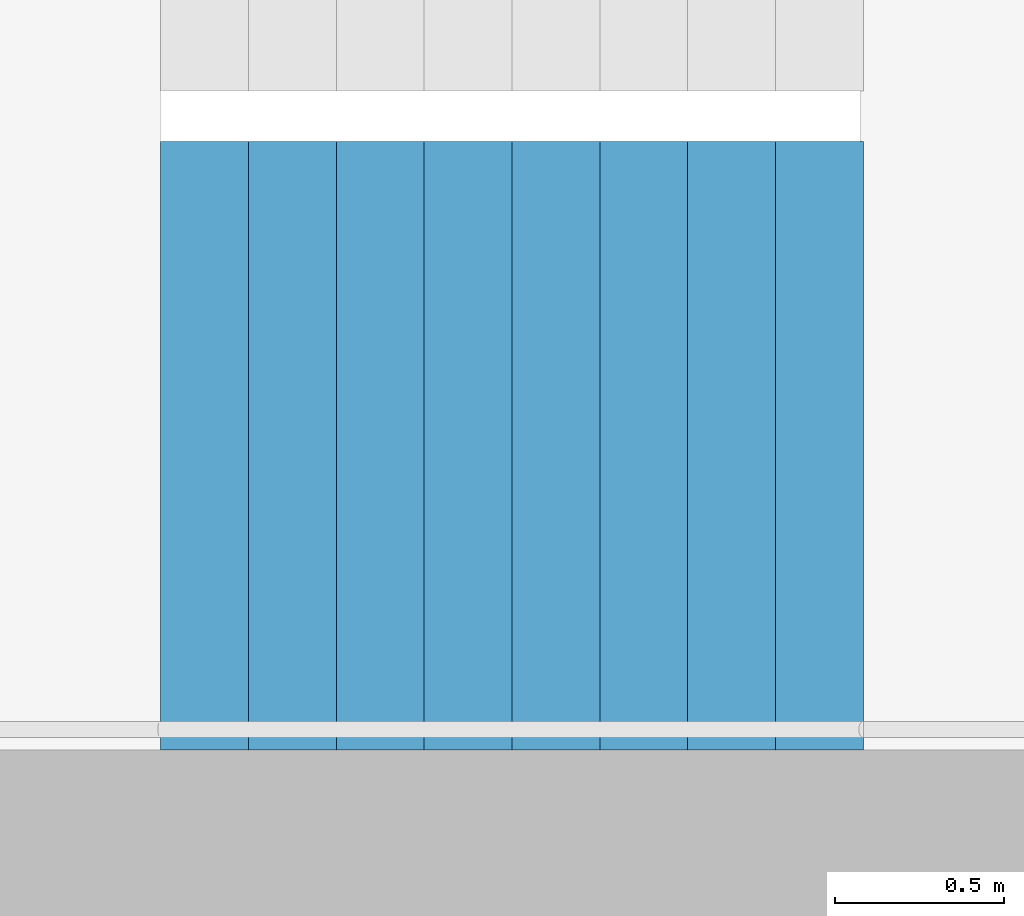
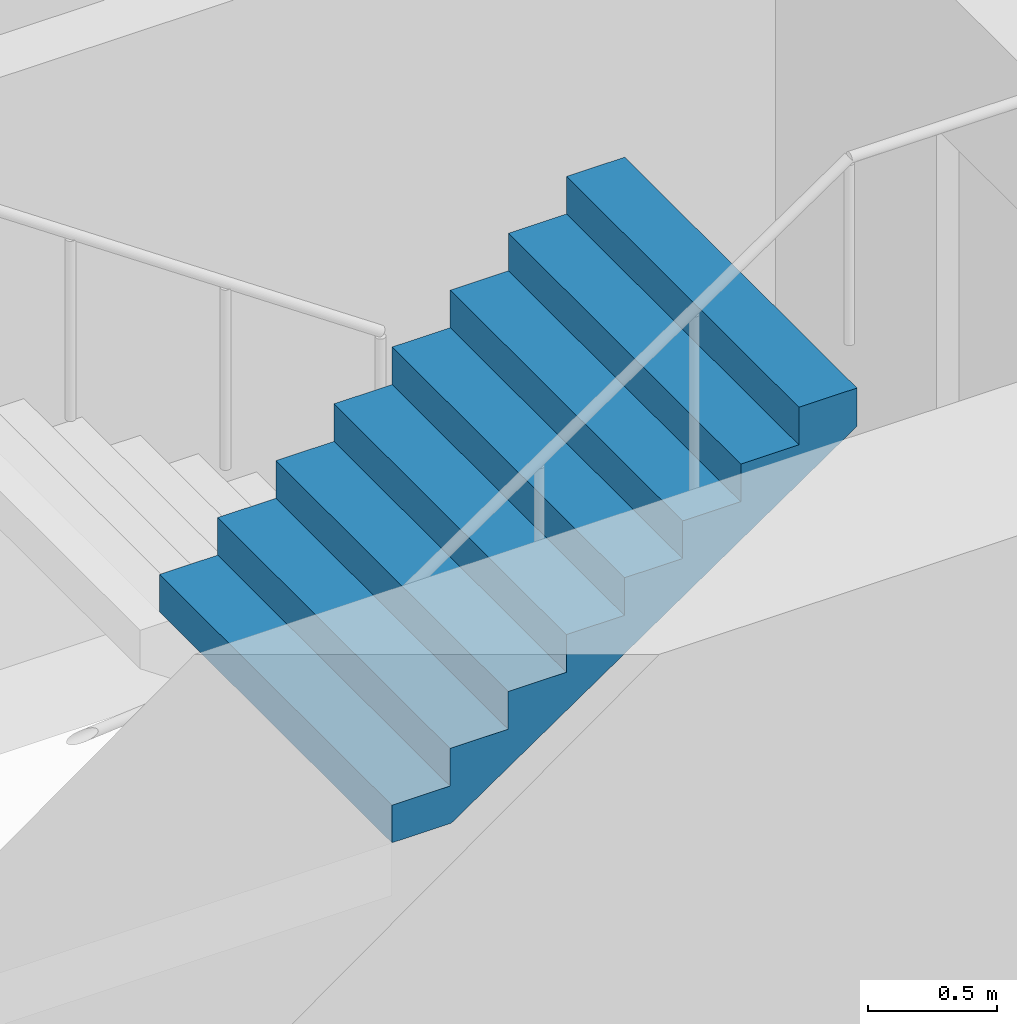
# One storey, part 21 of 29: 1 stair flight, 1 element without a shape of its own.
"""IFC4 building model written with IfcOpenShell, lengths in metres."""

from ifc_helpers import new_model, si_unit, direction, frame, origin, place, context, subcontext, project, spatial, triangles, material, type_object, element, aggregate, save


model = new_model("IFC4")

# Units and contexts
model_context = context("Model", 3, precision=1e-05, world=origin(), true_north=direction((0.0, 1.0)))
body_context = subcontext(model_context, "Body", "Model", "MODEL_VIEW")
ifc_project = project(units=[si_unit("LENGTHUNIT", "METRE"), si_unit("AREAUNIT", "SQUARE_METRE"), si_unit("VOLUMEUNIT", "CUBIC_METRE"), si_unit("PLANEANGLEUNIT", "RADIAN"), si_unit("MASSUNIT", "GRAM", prefix="KILO")], contexts=[model_context])

# Site, building, storey
site_placement = place(None, origin())
site = spatial("IfcSite", under=ifc_project, at=site_placement, CompositionType="ELEMENT")
building_placement = place(site_placement, origin())
building = spatial("IfcBuilding", under=site, at=building_placement, Name="Hakoniwa Tower and Hamabe Station Hall", CompositionType="ELEMENT")
storey_placement = place(building_placement, frame((0.0, 0.0, 45.39990234375)))
storey = spatial("IfcBuildingStorey", under=building, at=storey_placement, Name="L12", CompositionType="ELEMENT", Elevation=45.39990234375)

# Stair, stair flight
ifc_material_1 = material(Name="Concrete C40", Category="concrete")
stair_type = type_object("IfcStairType", Name="ESCAPE STAIR 1800", PredefinedType="HALF_TURN_STAIR", material=ifc_material_1)
stair_placement = place(storey_placement, origin())
stair = element("IfcStair", 1, at=stair_placement, inside=storey, type_object=stair_type, Name="Escape stair ST-2 L12", PredefinedType="HALF_TURN_STAIR")
ifc_material_2 = material(Name="Concrete C40", Category="concrete")
stair_flight_type = type_object("IfcStairFlightType", Name="STAIR FLIGHT 1800", PredefinedType="STRAIGHT", material=ifc_material_2)
stair_flight_placement = place(storey_placement, frame((-25.47998046875, -6.60009765625, 1.60009765625), z_axis=(0.0, 0.0, 1.0), x_axis=(1.0, 0.0, 0.0)))
stair_flight = element("IfcStairFlight", 2, at=stair_flight_placement, type_object=stair_flight_type, Name="ST-2 flight 2", NumberOfRisers=9, NumberOfTreads=8, PredefinedType="STRAIGHT", RiserHeight=0.177777778, TreadLength=0.26, context=body_context, shape_type="Tessellation", body=[
    triangles([(0.0, 0.89990234375, 0.0), (0.260009765625, 0.89990234375, 0.0), (0.265625, 0.89990234375, 0.0), (0.52001953125, 0.89990234375, 0.174072265625), (0.780029296875, 0.89990234375, 0.351806640625), (1.0400390625, 0.89990234375, 0.529541015625), (1.300048828125, 0.89990234375, 0.707275390625), (1.56005859375, 0.89990234375, 0.885009765625), (1.820068359375, 0.89990234375, 1.062744140625), (2.080078125, 0.89990234375, 1.24072265625), (2.080078125, 0.89990234375, 1.422119140625), (1.820068359375, 0.89990234375, 1.422119140625), (1.820068359375, 0.89990234375, 1.244384765625), (1.56005859375, 0.89990234375, 1.244384765625), (1.56005859375, 0.89990234375, 1.066650390625), (1.300048828125, 0.89990234375, 1.066650390625), (1.300048828125, 0.89990234375, 0.888916015625), (1.0400390625, 0.89990234375, 0.888916015625), (1.0400390625, 0.89990234375, 0.711181640625), (0.780029296875, 0.89990234375, 0.711181640625), (0.780029296875, 0.89990234375, 0.533447265625), (0.52001953125, 0.89990234375, 0.533447265625), (0.52001953125, 0.89990234375, 0.35546875), (0.265625, 0.89990234375, 0.35546875), (0.260009765625, 0.89990234375, 0.35546875), (0.260009765625, 0.89990234375, 0.177734375), (0.0, 0.89990234375, 0.177734375), (0.0, 0.06005859375, 0.0), (0.260009765625, 0.06005859375, 0.0), (0.265625, 0.06005859375, 0.0), (0.52001953125, 0.06005859375, 0.174072265625), (0.780029296875, 0.06005859375, 0.351806640625), (1.0400390625, 0.06005859375, 0.529541015625), (1.300048828125, 0.06005859375, 0.707275390625), (1.56005859375, 0.06005859375, 0.885009765625), (1.820068359375, 0.06005859375, 1.062744140625), (2.080078125, 0.06005859375, 1.24072265625), (2.080078125, 0.06005859375, 1.422119140625), (1.820068359375, 0.06005859375, 1.422119140625), (1.820068359375, 0.06005859375, 1.244384765625), (1.56005859375, 0.06005859375, 1.244384765625), (1.56005859375, 0.06005859375, 1.066650390625), (1.300048828125, 0.06005859375, 1.066650390625), (1.300048828125, 0.06005859375, 0.888916015625), (1.0400390625, 0.06005859375, 0.888916015625), (1.0400390625, 0.06005859375, 0.711181640625), (0.780029296875, 0.06005859375, 0.711181640625), (0.780029296875, 0.06005859375, 0.533447265625), (0.52001953125, 0.06005859375, 0.533447265625), (0.52001953125, 0.06005859375, 0.35546875), (0.265625, 0.06005859375, 0.35546875), (0.260009765625, 0.06005859375, 0.35546875), (0.260009765625, 0.06005859375, 0.177734375), (0.0, 0.06005859375, 0.177734375), (0.0, 0.04296875, 0.0), (0.260009765625, 0.04296875, 0.0), (0.265625, 0.04296875, 0.0), (0.52001953125, 0.04296875, 0.174072265625), (0.780029296875, 0.04296875, 0.351806640625), (1.0400390625, 0.04296875, 0.529541015625), (1.300048828125, 0.04296875, 0.707275390625), (1.56005859375, 0.04296875, 0.885009765625), (1.820068359375, 0.04296875, 1.062744140625), (2.080078125, 0.04296875, 1.24072265625), (2.080078125, 0.04296875, 1.422119140625), (1.820068359375, 0.04296875, 1.422119140625), (1.820068359375, 0.04296875, 1.244384765625), (1.56005859375, 0.04296875, 1.244384765625), (1.56005859375, 0.04296875, 1.066650390625), (1.300048828125, 0.04296875, 1.066650390625), (1.300048828125, 0.04296875, 0.888916015625), (1.0400390625, 0.04296875, 0.888916015625), (1.0400390625, 0.04296875, 0.711181640625), (0.780029296875, 0.04296875, 0.711181640625), (0.780029296875, 0.04296875, 0.533447265625), (0.52001953125, 0.04296875, 0.533447265625), (0.52001953125, 0.04296875, 0.35546875), (0.265625, 0.04296875, 0.35546875), (0.260009765625, 0.04296875, 0.35546875), (0.260009765625, 0.04296875, 0.177734375), (0.0, 0.04296875, 0.177734375), (0.0, 0.025634765625, 0.0), (0.260009765625, 0.025634765625, 0.0), (0.265625, 0.025634765625, 0.0), (0.52001953125, 0.025634765625, 0.174072265625), (0.780029296875, 0.025634765625, 0.351806640625), (1.0400390625, 0.025634765625, 0.529541015625), (1.300048828125, 0.025634765625, 0.707275390625), (1.56005859375, 0.025634765625, 0.885009765625), (1.820068359375, 0.025634765625, 1.062744140625), (2.080078125, 0.025634765625, 1.24072265625), (2.080078125, 0.025634765625, 1.422119140625), (1.820068359375, 0.025634765625, 1.422119140625), (1.820068359375, 0.025634765625, 1.244384765625), (1.56005859375, 0.025634765625, 1.244384765625), (1.56005859375, 0.025634765625, 1.066650390625), (1.300048828125, 0.025634765625, 1.066650390625), (1.300048828125, 0.025634765625, 0.888916015625), (1.0400390625, 0.025634765625, 0.888916015625), (1.0400390625, 0.025634765625, 0.711181640625), (0.780029296875, 0.025634765625, 0.711181640625), (0.780029296875, 0.025634765625, 0.533447265625), (0.52001953125, 0.025634765625, 0.533447265625), (0.52001953125, 0.025634765625, 0.35546875), (0.265625, 0.025634765625, 0.35546875), (0.260009765625, 0.025634765625, 0.35546875), (0.260009765625, 0.025634765625, 0.177734375), (0.0, 0.025634765625, 0.177734375), (0.0, 0.008544921875, 0.0), (0.260009765625, 0.008544921875, 0.0), (0.265625, 0.008544921875, 0.0), (0.52001953125, 0.008544921875, 0.174072265625), (0.780029296875, 0.008544921875, 0.351806640625), (1.0400390625, 0.008544921875, 0.529541015625), (1.300048828125, 0.008544921875, 0.707275390625), (1.56005859375, 0.008544921875, 0.885009765625), (1.820068359375, 0.008544921875, 1.062744140625), (2.080078125, 0.008544921875, 1.24072265625), (2.080078125, 0.008544921875, 1.422119140625), (1.820068359375, 0.008544921875, 1.422119140625), (1.820068359375, 0.008544921875, 1.244384765625), (1.56005859375, 0.008544921875, 1.244384765625), (1.56005859375, 0.008544921875, 1.066650390625), (1.300048828125, 0.008544921875, 1.066650390625), (1.300048828125, 0.008544921875, 0.888916015625), (1.0400390625, 0.008544921875, 0.888916015625), (1.0400390625, 0.008544921875, 0.711181640625), (0.780029296875, 0.008544921875, 0.711181640625), (0.780029296875, 0.008544921875, 0.533447265625), (0.52001953125, 0.008544921875, 0.533447265625), (0.52001953125, 0.008544921875, 0.35546875), (0.265625, 0.008544921875, 0.35546875), (0.260009765625, 0.008544921875, 0.35546875), (0.260009765625, 0.008544921875, 0.177734375), (0.0, 0.008544921875, 0.177734375), (0.0, -0.008544921875, 0.0), (0.260009765625, -0.008544921875, 0.0), (0.265625, -0.008544921875, 0.0), (0.52001953125, -0.008544921875, 0.174072265625), (0.780029296875, -0.008544921875, 0.351806640625), (1.0400390625, -0.008544921875, 0.529541015625), (1.300048828125, -0.008544921875, 0.707275390625), (1.56005859375, -0.008544921875, 0.885009765625), (1.820068359375, -0.008544921875, 1.062744140625), (2.080078125, -0.008544921875, 1.24072265625), (2.080078125, -0.008544921875, 1.422119140625), (1.820068359375, -0.008544921875, 1.422119140625), (1.820068359375, -0.008544921875, 1.244384765625), (1.56005859375, -0.008544921875, 1.244384765625), (1.56005859375, -0.008544921875, 1.066650390625), (1.300048828125, -0.008544921875, 1.066650390625), (1.300048828125, -0.008544921875, 0.888916015625), (1.0400390625, -0.008544921875, 0.888916015625), (1.0400390625, -0.008544921875, 0.711181640625), (0.780029296875, -0.008544921875, 0.711181640625), (0.780029296875, -0.008544921875, 0.533447265625), (0.52001953125, -0.008544921875, 0.533447265625), (0.52001953125, -0.008544921875, 0.35546875), (0.265625, -0.008544921875, 0.35546875), (0.260009765625, -0.008544921875, 0.35546875), (0.260009765625, -0.008544921875, 0.177734375), (0.0, -0.008544921875, 0.177734375), (0.0, -0.025634765625, 0.0), (0.260009765625, -0.025634765625, 0.0), (0.265625, -0.025634765625, 0.0), (0.52001953125, -0.025634765625, 0.174072265625), (0.780029296875, -0.025634765625, 0.351806640625), (1.0400390625, -0.025634765625, 0.529541015625), (1.300048828125, -0.025634765625, 0.707275390625), (1.56005859375, -0.025634765625, 0.885009765625), (1.820068359375, -0.025634765625, 1.062744140625), (2.080078125, -0.025634765625, 1.24072265625), (2.080078125, -0.025634765625, 1.422119140625), (1.820068359375, -0.025634765625, 1.422119140625), (1.820068359375, -0.025634765625, 1.244384765625), (1.56005859375, -0.025634765625, 1.244384765625), (1.56005859375, -0.025634765625, 1.066650390625), (1.300048828125, -0.025634765625, 1.066650390625), (1.300048828125, -0.025634765625, 0.888916015625), (1.0400390625, -0.025634765625, 0.888916015625), (1.0400390625, -0.025634765625, 0.711181640625), (0.780029296875, -0.025634765625, 0.711181640625), (0.780029296875, -0.025634765625, 0.533447265625), (0.52001953125, -0.025634765625, 0.533447265625), (0.52001953125, -0.025634765625, 0.35546875), (0.265625, -0.025634765625, 0.35546875), (0.260009765625, -0.025634765625, 0.35546875), (0.260009765625, -0.025634765625, 0.177734375), (0.0, -0.025634765625, 0.177734375), (0.0, -0.04296875, 0.0), (0.260009765625, -0.04296875, 0.0), (0.265625, -0.04296875, 0.0), (0.52001953125, -0.04296875, 0.174072265625), (0.780029296875, -0.04296875, 0.351806640625), (1.0400390625, -0.04296875, 0.529541015625), (1.300048828125, -0.04296875, 0.707275390625), (1.56005859375, -0.04296875, 0.885009765625), (1.820068359375, -0.04296875, 1.062744140625), (2.080078125, -0.04296875, 1.24072265625), (2.080078125, -0.04296875, 1.422119140625), (1.820068359375, -0.04296875, 1.422119140625), (1.820068359375, -0.04296875, 1.244384765625), (1.56005859375, -0.04296875, 1.244384765625), (1.56005859375, -0.04296875, 1.066650390625), (1.300048828125, -0.04296875, 1.066650390625), (1.300048828125, -0.04296875, 0.888916015625), (1.0400390625, -0.04296875, 0.888916015625), (1.0400390625, -0.04296875, 0.711181640625), (0.780029296875, -0.04296875, 0.711181640625), (0.780029296875, -0.04296875, 0.533447265625), (0.52001953125, -0.04296875, 0.533447265625), (0.52001953125, -0.04296875, 0.35546875), (0.265625, -0.04296875, 0.35546875), (0.260009765625, -0.04296875, 0.35546875), (0.260009765625, -0.04296875, 0.177734375), (0.0, -0.04296875, 0.177734375), (0.0, -0.06005859375, 0.0), (0.260009765625, -0.06005859375, 0.0), (0.265625, -0.06005859375, 0.0), (0.52001953125, -0.06005859375, 0.174072265625), (0.780029296875, -0.06005859375, 0.351806640625), (1.0400390625, -0.06005859375, 0.529541015625), (1.300048828125, -0.06005859375, 0.707275390625), (1.56005859375, -0.06005859375, 0.885009765625), (1.820068359375, -0.06005859375, 1.062744140625), (2.080078125, -0.06005859375, 1.24072265625), (2.080078125, -0.06005859375, 1.422119140625), (1.820068359375, -0.06005859375, 1.422119140625), (1.820068359375, -0.06005859375, 1.244384765625), (1.56005859375, -0.06005859375, 1.244384765625), (1.56005859375, -0.06005859375, 1.066650390625), (1.300048828125, -0.06005859375, 1.066650390625), (1.300048828125, -0.06005859375, 0.888916015625), (1.0400390625, -0.06005859375, 0.888916015625), (1.0400390625, -0.06005859375, 0.711181640625), (0.780029296875, -0.06005859375, 0.711181640625), (0.780029296875, -0.06005859375, 0.533447265625), (0.52001953125, -0.06005859375, 0.533447265625), (0.52001953125, -0.06005859375, 0.35546875), (0.265625, -0.06005859375, 0.35546875), (0.260009765625, -0.06005859375, 0.35546875), (0.260009765625, -0.06005859375, 0.177734375), (0.0, -0.06005859375, 0.177734375), (0.0, -0.89990234375, 0.0), (0.260009765625, -0.89990234375, 0.0), (0.265625, -0.89990234375, 0.0), (0.52001953125, -0.89990234375, 0.174072265625), (0.780029296875, -0.89990234375, 0.351806640625), (1.0400390625, -0.89990234375, 0.529541015625), (1.300048828125, -0.89990234375, 0.707275390625), (1.56005859375, -0.89990234375, 0.885009765625), (1.820068359375, -0.89990234375, 1.062744140625), (2.080078125, -0.89990234375, 1.24072265625), (2.080078125, -0.89990234375, 1.422119140625), (1.820068359375, -0.89990234375, 1.422119140625), (1.820068359375, -0.89990234375, 1.244384765625), (1.56005859375, -0.89990234375, 1.244384765625), (1.56005859375, -0.89990234375, 1.066650390625), (1.300048828125, -0.89990234375, 1.066650390625), (1.300048828125, -0.89990234375, 0.888916015625), (1.0400390625, -0.89990234375, 0.888916015625), (1.0400390625, -0.89990234375, 0.711181640625), (0.780029296875, -0.89990234375, 0.711181640625), (0.780029296875, -0.89990234375, 0.533447265625), (0.52001953125, -0.89990234375, 0.533447265625), (0.52001953125, -0.89990234375, 0.35546875), (0.265625, -0.89990234375, 0.35546875), (0.260009765625, -0.89990234375, 0.35546875), (0.260009765625, -0.89990234375, 0.177734375), (0.0, -0.89990234375, 0.177734375)], [[2, 27, 26], [245, 269, 270], [2, 1, 27], [245, 270, 244], [3, 25, 24], [246, 267, 268], [3, 26, 25], [246, 268, 269], [3, 2, 26], [246, 269, 245], [4, 24, 23], [247, 266, 267], [4, 3, 24], [247, 267, 246], [5, 22, 21], [248, 264, 265], [5, 23, 22], [248, 265, 266], [5, 4, 23], [248, 266, 247], [6, 20, 19], [249, 262, 263], [6, 21, 20], [249, 263, 264], [6, 5, 21], [249, 264, 248], [7, 18, 17], [250, 260, 261], [7, 19, 18], [250, 261, 262], [7, 6, 19], [250, 262, 249], [8, 16, 15], [251, 258, 259], [8, 17, 16], [251, 259, 260], [8, 7, 17], [251, 260, 250], [9, 14, 13], [252, 256, 257], [9, 15, 14], [252, 257, 258], [9, 8, 15], [252, 258, 251], [10, 12, 11], [253, 254, 255], [10, 13, 12], [253, 255, 256], [10, 9, 13], [253, 256, 252], [1, 2, 29], [1, 29, 28], [28, 29, 56], [28, 56, 55], [55, 56, 83], [55, 83, 82], [82, 83, 110], [82, 110, 109], [109, 110, 137], [109, 137, 136], [136, 137, 164], [136, 164, 163], [163, 164, 191], [163, 191, 190], [190, 191, 218], [190, 218, 217], [217, 218, 245], [217, 245, 244], [2, 3, 30], [2, 30, 29], [29, 30, 57], [29, 57, 56], [56, 57, 84], [56, 84, 83], [83, 84, 111], [83, 111, 110], [110, 111, 138], [110, 138, 137], [137, 138, 165], [137, 165, 164], [164, 165, 192], [164, 192, 191], [191, 192, 219], [191, 219, 218], [218, 219, 246], [218, 246, 245], [3, 4, 31], [3, 31, 30], [30, 31, 58], [30, 58, 57], [57, 58, 85], [57, 85, 84], [84, 85, 112], [84, 112, 111], [111, 112, 139], [111, 139, 138], [138, 139, 166], [138, 166, 165], [165, 166, 193], [165, 193, 192], [192, 193, 220], [192, 220, 219], [219, 220, 247], [219, 247, 246], [4, 5, 32], [4, 32, 31], [31, 32, 59], [31, 59, 58], [58, 59, 86], [58, 86, 85], [85, 86, 113], [85, 113, 112], [112, 113, 140], [112, 140, 139], [139, 140, 167], [139, 167, 166], [166, 167, 194], [166, 194, 193], [193, 194, 221], [193, 221, 220], [220, 221, 248], [220, 248, 247], [5, 6, 33], [5, 33, 32], [32, 33, 60], [32, 60, 59], [59, 60, 87], [59, 87, 86], [86, 87, 114], [86, 114, 113], [113, 114, 141], [113, 141, 140], [140, 141, 168], [140, 168, 167], [167, 168, 195], [167, 195, 194], [194, 195, 222], [194, 222, 221], [221, 222, 249], [221, 249, 248], [6, 7, 34], [6, 34, 33], [33, 34, 61], [33, 61, 60], [60, 61, 88], [60, 88, 87], [87, 88, 115], [87, 115, 114], [114, 115, 142], [114, 142, 141], [141, 142, 169], [141, 169, 168], [168, 169, 196], [168, 196, 195], [195, 196, 223], [195, 223, 222], [222, 223, 250], [222, 250, 249], [7, 8, 35], [7, 35, 34], [34, 35, 62], [34, 62, 61], [61, 62, 89], [61, 89, 88], [88, 89, 116], [88, 116, 115], [115, 116, 143], [115, 143, 142], [142, 143, 170], [142, 170, 169], [169, 170, 197], [169, 197, 196], [196, 197, 224], [196, 224, 223], [223, 224, 251], [223, 251, 250], [8, 9, 36], [8, 36, 35], [35, 36, 63], [35, 63, 62], [62, 63, 90], [62, 90, 89], [89, 90, 117], [89, 117, 116], [116, 117, 144], [116, 144, 143], [143, 144, 171], [143, 171, 170], [170, 171, 198], [170, 198, 197], [197, 198, 225], [197, 225, 224], [224, 225, 252], [224, 252, 251], [9, 10, 37], [9, 37, 36], [36, 37, 64], [36, 64, 63], [63, 64, 91], [63, 91, 90], [90, 91, 118], [90, 118, 117], [117, 118, 145], [117, 145, 144], [144, 145, 172], [144, 172, 171], [171, 172, 199], [171, 199, 198], [198, 199, 226], [198, 226, 225], [225, 226, 253], [225, 253, 252], [10, 11, 38], [10, 38, 37], [37, 38, 65], [37, 65, 64], [64, 65, 92], [64, 92, 91], [91, 92, 119], [91, 119, 118], [118, 119, 146], [118, 146, 145], [145, 146, 173], [145, 173, 172], [172, 173, 200], [172, 200, 199], [199, 200, 227], [199, 227, 226], [226, 227, 254], [226, 254, 253], [11, 12, 39], [11, 39, 38], [38, 39, 66], [38, 66, 65], [65, 66, 93], [65, 93, 92], [92, 93, 120], [92, 120, 119], [119, 120, 147], [119, 147, 146], [146, 147, 174], [146, 174, 173], [173, 174, 201], [173, 201, 200], [200, 201, 228], [200, 228, 227], [227, 228, 255], [227, 255, 254], [12, 13, 40], [12, 40, 39], [39, 40, 67], [39, 67, 66], [66, 67, 94], [66, 94, 93], [93, 94, 121], [93, 121, 120], [120, 121, 148], [120, 148, 147], [147, 148, 175], [147, 175, 174], [174, 175, 202], [174, 202, 201], [201, 202, 229], [201, 229, 228], [228, 229, 256], [228, 256, 255], [13, 14, 41], [13, 41, 40], [40, 41, 68], [40, 68, 67], [67, 68, 95], [67, 95, 94], [94, 95, 122], [94, 122, 121], [121, 122, 149], [121, 149, 148], [148, 149, 176], [148, 176, 175], [175, 176, 203], [175, 203, 202], [202, 203, 230], [202, 230, 229], [229, 230, 257], [229, 257, 256], [14, 15, 42], [14, 42, 41], [41, 42, 69], [41, 69, 68], [68, 69, 96], [68, 96, 95], [95, 96, 123], [95, 123, 122], [122, 123, 150], [122, 150, 149], [149, 150, 177], [149, 177, 176], [176, 177, 204], [176, 204, 203], [203, 204, 231], [203, 231, 230], [230, 231, 258], [230, 258, 257], [15, 16, 43], [15, 43, 42], [42, 43, 70], [42, 70, 69], [69, 70, 97], [69, 97, 96], [96, 97, 124], [96, 124, 123], [123, 124, 151], [123, 151, 150], [150, 151, 178], [150, 178, 177], [177, 178, 205], [177, 205, 204], [204, 205, 232], [204, 232, 231], [231, 232, 259], [231, 259, 258], [16, 17, 44], [16, 44, 43], [43, 44, 71], [43, 71, 70], [70, 71, 98], [70, 98, 97], [97, 98, 125], [97, 125, 124], [124, 125, 152], [124, 152, 151], [151, 152, 179], [151, 179, 178], [178, 179, 206], [178, 206, 205], [205, 206, 233], [205, 233, 232], [232, 233, 260], [232, 260, 259], [17, 18, 45], [17, 45, 44], [44, 45, 72], [44, 72, 71], [71, 72, 99], [71, 99, 98], [98, 99, 126], [98, 126, 125], [125, 126, 153], [125, 153, 152], [152, 153, 180], [152, 180, 179], [179, 180, 207], [179, 207, 206], [206, 207, 234], [206, 234, 233], [233, 234, 261], [233, 261, 260], [18, 19, 46], [18, 46, 45], [45, 46, 73], [45, 73, 72], [72, 73, 100], [72, 100, 99], [99, 100, 127], [99, 127, 126], [126, 127, 154], [126, 154, 153], [153, 154, 181], [153, 181, 180], [180, 181, 208], [180, 208, 207], [207, 208, 235], [207, 235, 234], [234, 235, 262], [234, 262, 261], [19, 20, 47], [19, 47, 46], [46, 47, 74], [46, 74, 73], [73, 74, 101], [73, 101, 100], [100, 101, 128], [100, 128, 127], [127, 128, 155], [127, 155, 154], [154, 155, 182], [154, 182, 181], [181, 182, 209], [181, 209, 208], [208, 209, 236], [208, 236, 235], [235, 236, 263], [235, 263, 262], [20, 21, 48], [20, 48, 47], [47, 48, 75], [47, 75, 74], [74, 75, 102], [74, 102, 101], [101, 102, 129], [101, 129, 128], [128, 129, 156], [128, 156, 155], [155, 156, 183], [155, 183, 182], [182, 183, 210], [182, 210, 209], [209, 210, 237], [209, 237, 236], [236, 237, 264], [236, 264, 263], [21, 22, 49], [21, 49, 48], [48, 49, 76], [48, 76, 75], [75, 76, 103], [75, 103, 102], [102, 103, 130], [102, 130, 129], [129, 130, 157], [129, 157, 156], [156, 157, 184], [156, 184, 183], [183, 184, 211], [183, 211, 210], [210, 211, 238], [210, 238, 237], [237, 238, 265], [237, 265, 264], [22, 23, 50], [22, 50, 49], [49, 50, 77], [49, 77, 76], [76, 77, 104], [76, 104, 103], [103, 104, 131], [103, 131, 130], [130, 131, 158], [130, 158, 157], [157, 158, 185], [157, 185, 184], [184, 185, 212], [184, 212, 211], [211, 212, 239], [211, 239, 238], [238, 239, 266], [238, 266, 265], [23, 24, 51], [23, 51, 50], [50, 51, 78], [50, 78, 77], [77, 78, 105], [77, 105, 104], [104, 105, 132], [104, 132, 131], [131, 132, 159], [131, 159, 158], [158, 159, 186], [158, 186, 185], [185, 186, 213], [185, 213, 212], [212, 213, 240], [212, 240, 239], [239, 240, 267], [239, 267, 266], [24, 25, 52], [24, 52, 51], [51, 52, 79], [51, 79, 78], [78, 79, 106], [78, 106, 105], [105, 106, 133], [105, 133, 132], [132, 133, 160], [132, 160, 159], [159, 160, 187], [159, 187, 186], [186, 187, 214], [186, 214, 213], [213, 214, 241], [213, 241, 240], [240, 241, 268], [240, 268, 267], [25, 26, 53], [25, 53, 52], [52, 53, 80], [52, 80, 79], [79, 80, 107], [79, 107, 106], [106, 107, 134], [106, 134, 133], [133, 134, 161], [133, 161, 160], [160, 161, 188], [160, 188, 187], [187, 188, 215], [187, 215, 214], [214, 215, 242], [214, 242, 241], [241, 242, 269], [241, 269, 268], [26, 27, 54], [26, 54, 53], [53, 54, 81], [53, 81, 80], [80, 81, 108], [80, 108, 107], [107, 108, 135], [107, 135, 134], [134, 135, 162], [134, 162, 161], [161, 162, 189], [161, 189, 188], [188, 189, 216], [188, 216, 215], [215, 216, 243], [215, 243, 242], [242, 243, 270], [242, 270, 269], [27, 1, 28], [27, 28, 54], [54, 28, 55], [54, 55, 81], [81, 55, 82], [81, 82, 108], [108, 82, 109], [108, 109, 135], [135, 109, 136], [135, 136, 162], [162, 136, 163], [162, 163, 189], [189, 163, 190], [189, 190, 216], [216, 190, 217], [216, 217, 243], [243, 217, 244], [243, 244, 270]], closed=True),
])
aggregate(stair, [stair_flight])

save(model, "model.ifc")
